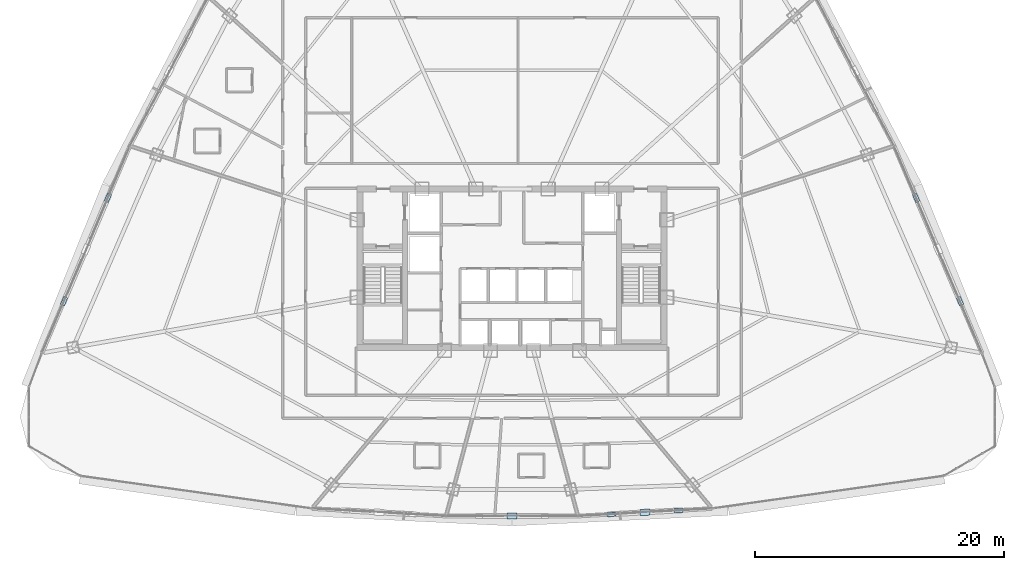
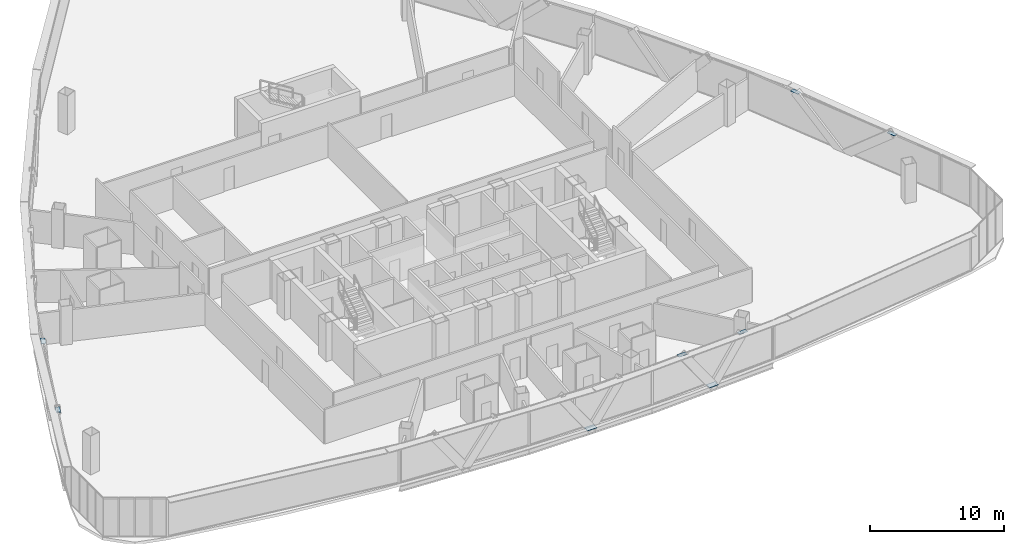
# One storey, part 31 of 40: 8 plates.
"""IFC4 building model written with IfcOpenShell, lengths in metres."""

from ifc_helpers import new_model, si_unit, direction, frame, origin, origin_2d, place, context, subcontext, project, spatial, rectangle, extrude, source, transform, mapped, material, layer, layer_set, type_object, element, save


model = new_model("IFC4")

# Units and contexts
model_context = context("Model", 3, precision=1e-05, world=origin(), true_north=direction((0.0, 1.0)))
body_context = subcontext(model_context, "Body", "Model", "MODEL_VIEW")
ifc_project = project(units=[si_unit("LENGTHUNIT", "METRE"), si_unit("AREAUNIT", "SQUARE_METRE"), si_unit("VOLUMEUNIT", "CUBIC_METRE"), si_unit("PLANEANGLEUNIT", "RADIAN"), si_unit("MASSUNIT", "GRAM", prefix="KILO"), si_unit("THERMODYNAMICTEMPERATUREUNIT", "KELVIN"), si_unit("POWERUNIT", "WATT")], contexts=[model_context])

# Site, building, storey
site_placement = place(None, origin())
site = spatial("IfcSite", under=ifc_project, at=site_placement, CompositionType="ELEMENT")
building_placement = place(site_placement, origin())
building = spatial("IfcBuilding", under=site, at=building_placement, Name="Yunzhuo Pagoda Commons", CompositionType="ELEMENT")
storey_placement = place(building_placement, frame((0.0, 0.0, 184.760009765625)))
storey = spatial("IfcBuildingStorey", under=building, at=storey_placement, Name="L46", CompositionType="ELEMENT", Elevation=184.760009765625)

# Plates
ifc_material = material(Name="Structural steel Q355B", Category="steel")
ifc_layer = layer(ifc_material, 0.028076171875)
ifc_layer_set = layer_set([ifc_layer], Name="Structural steel Q355B")
plate_type = type_object("IfcPlateType", Name="SP-ND1 Lattice Node Cap Plate 800x500x28", PredefinedType="USERDEFINED", material=ifc_layer_set)
shared_shape_1 = source(origin(), body_context, "Body", "SweptSolid", [
    extrude(rectangle(XDim=0.800048828125, YDim=0.5, at=origin_2d()), origin(), (0.0, 0.0, 1.0), 0.028076171875),
])
for number, where, z_axis, x_axis, name in (
    (1, (48.0, 13.970458984375, -0.27392578125), (0.0, 0.0, 1.0), (1.0, 0.0, 0.0), "L46 diamond node plate F1.2A"),
    (2, (58.6669921875, 14.27294921875, -0.27392578125), (0.0, 0.0, 1.0), (0.998423178068, 0.05613517165, 0.0), "L46 diamond node plate F1.3A"),
):
    element("IfcPlate", number, at=place(storey_placement, frame(where, z_axis=z_axis, x_axis=x_axis)), inside=storey, type_object=plate_type, Name=name, ObjectType="STIFFENER_PLATE", PredefinedType="USERDEFINED", context=body_context, shape_type="MappedRepresentation", body=[
        mapped(shared_shape_1, transform((0.0, 0.0, 0.0), scale=1.0)),
    ])
shared_shape_2 = source(origin(), body_context, "Body", "SweptSolid", [
    extrude(rectangle(XDim=0.699951171875, YDim=0.35009765625, at=origin_2d()), origin(), (0.0, 0.0, 1.0), 0.035888671875),
])
for number, where, z_axis, x_axis, name in (
    (3, (55.976806640625, 14.12158203125, 3.501953125), (0.0, 0.0, 1.0), (0.998423178068, 0.05613517165, 0.0), "L46 setback lattice tie plate F1.3L"),
    (4, (61.357177734375, 14.42431640625, 3.501953125), (0.0, 0.0, 1.0), (0.998423178068, 0.05613517165, 0.0), "L46 setback lattice tie plate F1.3R"),
    (5, (83.930419921875, 31.20458984375, 3.501953125), (0.0, 0.0, 1.0), (-0.39069899657, 0.920518491981, 0.0), "L46 setback lattice tie plate F2.1L"),
    (6, (80.406982421875, 39.50634765625, 3.501953125), (0.0, 0.0, 1.0), (-0.39069899657, 0.920518491981, 0.0), "L46 setback lattice tie plate F2.1R"),
    (7, (15.593017578125, 39.50634765625, 3.501953125), (0.0, 0.0, 1.0), (-0.39069899657, -0.920518491981, 0.0), "L46 setback lattice tie plate F3.3L"),
    (8, (12.069580078125, 31.20458984375, 3.501953125), (0.0, 0.0, 1.0), (-0.39069899657, -0.920518491981, 0.0), "L46 setback lattice tie plate F3.3R"),
):
    element("IfcPlate", number, at=place(storey_placement, frame(where, z_axis=z_axis, x_axis=x_axis)), inside=storey, type_object=plate_type, Name=name, ObjectType="STIFFENER_PLATE", PredefinedType="USERDEFINED", context=body_context, shape_type="MappedRepresentation", body=[
        mapped(shared_shape_2, transform((0.0, 0.0, 0.0), scale=1.0)),
    ])

save(model, "model.ifc")
